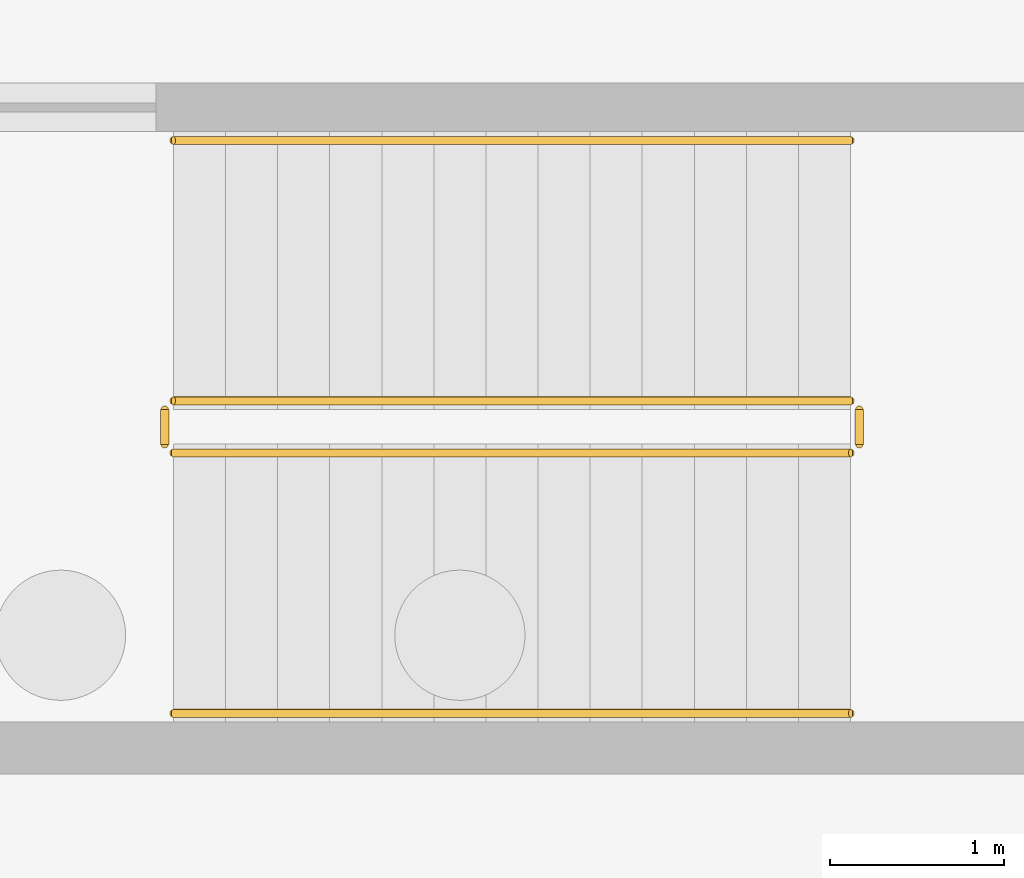
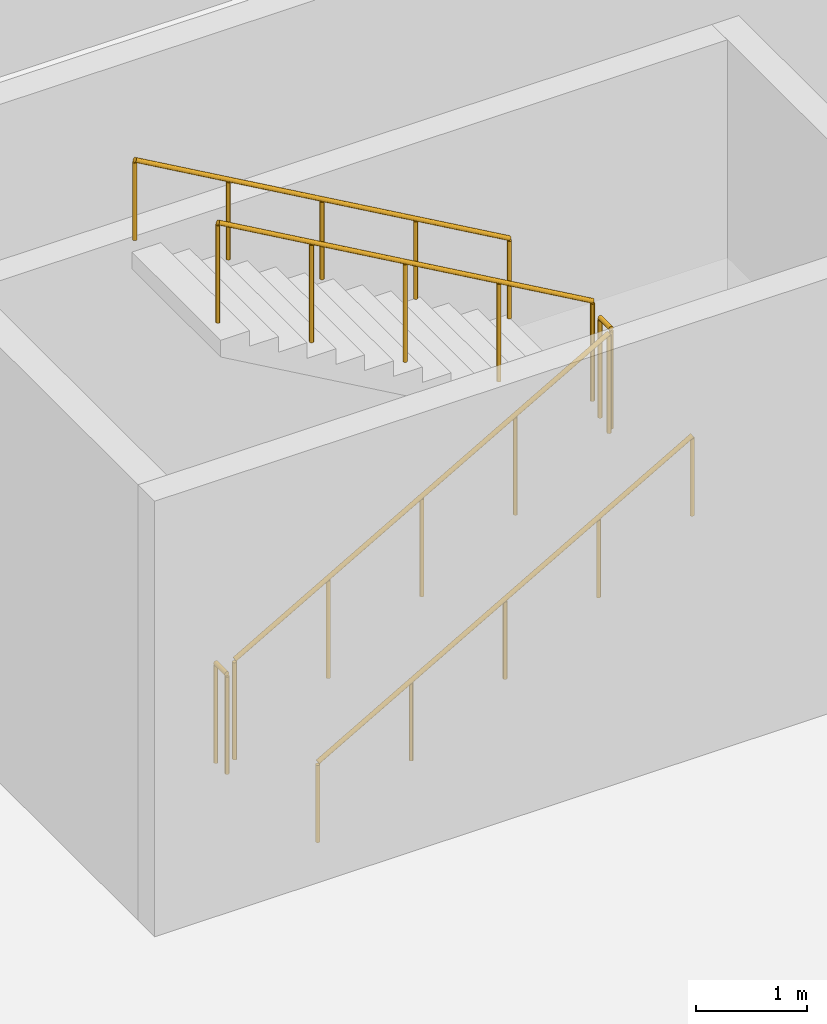
# One storey, part 33 of 40: 6 railings.
"""IFC4 building model written with IfcOpenShell, lengths in metres."""

import ifcopenshell
import ifcopenshell.guid

model = None  # the IFC model being written
_history = None  # IfcOwnerHistory: only IFC2X3 demands one
_inside = {}  # id of a spatial element -> (the spatial element, [elements in it])
_under = {}  # id of a project, library or spatial element -> (it, [spatial elements below it])
_declared = {}  # id of a project -> (the project, [libraries it declares])
_typed = {}  # id of a type object -> (the type object, [elements of that type])
_made_of = {}  # id of a material, layer set ... -> (it, [elements and type objects made of it])


def new_model(schema):
    """Start an empty IFC model of exactly this schema.

    Asked for "IFC4X3", IfcOpenShell would pick the latest addendum, in which some entities
    have other attributes; the version numbers below select the first issue.
    IFC2X3 requires an IfcOwnerHistory on every rooted entity: one is made here for all.
    """
    global model, _history
    if schema == "IFC4X3":
        model = ifcopenshell.file(schema_version=(4, 3, 0, 0))
    else:
        model = ifcopenshell.file(schema=schema)
    _inside.clear()
    _under.clear()
    _declared.clear()
    _typed.clear()
    _made_of.clear()
    _history = None
    if model.schema == "IFC2X3":
        org = make("IfcOrganization", Name="unknown")
        user = make(
            "IfcPersonAndOrganization",
            ThePerson=make("IfcPerson", FamilyName="unknown"),
            TheOrganization=org,
        )
        app = make(
            "IfcApplication",
            ApplicationDeveloper=org,
            Version="unknown",
            ApplicationFullName="unknown",
            ApplicationIdentifier="unknown",
        )
        _history = make(
            "IfcOwnerHistory",
            OwningUser=user,
            OwningApplication=app,
            ChangeAction="ADDED",
            CreationDate=0,
        )
    return model


def make(cls, **values):
    """One entity of the class cls with the attributes given. An attribute that is None is left unset."""
    return model.create_entity(
        cls, **{name: value for name, value in values.items() if value is not None}
    )


def rooted(cls, **values):
    """An entity with a GlobalId (a new one), such as an element, a storey or a relation."""
    return make(cls, GlobalId=ifcopenshell.guid.new(), OwnerHistory=_history, **values)


def si_unit(unit_type, name, prefix=None):
    """IfcSIUnit, for example si_unit("LENGTHUNIT", "METRE", prefix="MILLI")."""
    return make("IfcSIUnit", UnitType=unit_type, Prefix=prefix, Name=name)


def assignment(units):
    """IfcUnitAssignment: the units of a project."""
    return None if units is None else make("IfcUnitAssignment", Units=units)


def point(xyz):
    """IfcCartesianPoint."""
    return None if xyz is None else make("IfcCartesianPoint", Coordinates=xyz)


def direction(xyz):
    """IfcDirection."""
    return None if xyz is None else make("IfcDirection", DirectionRatios=xyz)


def frame(location, z_axis=None, x_axis=None):
    """IfcAxis2Placement3D, a coordinate frame: its origin and axes. An axis left out is left unset."""
    return make(
        "IfcAxis2Placement3D",
        Location=point(location),
        Axis=direction(z_axis),
        RefDirection=direction(x_axis),
    )


def frame_2d(location, x_axis=None):
    """IfcAxis2Placement2D, a coordinate frame in the plane: its origin and x axis."""
    return make(
        "IfcAxis2Placement2D", Location=point(location), RefDirection=direction(x_axis)
    )


def origin():
    """The frame at (0, 0, 0) with its axes left unset."""
    return frame((0.0, 0.0, 0.0))


def origin_2d():
    """The frame at (0, 0) in the plane with its x axis left unset."""
    return frame_2d((0.0, 0.0))


def place(relative_to, where):
    """IfcLocalPlacement: puts the frame where relative to a parent placement (None: the world)."""
    return make(
        "IfcLocalPlacement", PlacementRelTo=relative_to, RelativePlacement=where
    )


def context(
    kind, dimensions, precision=None, world=None, true_north=None, identifier=None
):
    """IfcGeometricRepresentationContext, for example the 3D "Model" context."""
    return make(
        "IfcGeometricRepresentationContext",
        ContextIdentifier=identifier,
        ContextType=kind,
        CoordinateSpaceDimension=dimensions,
        Precision=precision,
        WorldCoordinateSystem=world,
        TrueNorth=true_north,
    )


def subcontext(parent, identifier, kind, view, scale=None):
    """IfcGeometricRepresentationSubContext, for example "Body" below "Model"."""
    return make(
        "IfcGeometricRepresentationSubContext",
        ContextIdentifier=identifier,
        ContextType=kind,
        ParentContext=parent,
        TargetScale=scale,
        TargetView=view,
    )


def project(units=None, contexts=None):
    """IfcProject with its units and contexts."""
    return rooted(
        "IfcProject",
        Name="project",
        RepresentationContexts=contexts,
        UnitsInContext=assignment(units),
    )


def spatial(cls, under=None, at=None, **own):
    """A site, building, storey or space (cls), placed at a placement, below another one or the project."""
    s = rooted(cls, ObjectPlacement=at, **own)
    if under is not None:
        _under.setdefault(under.id(), (under, []))[1].append(s)
    return s


def profile(cls, at=None, kind="AREA", **sizes):
    """A parametric profile (cls). Its sizes go by their IFC names, for example OverallWidth=200.0."""
    return make(cls, ProfileType=kind, Position=at, **sizes)


def circle(**sizes):
    """IfcCircleProfileDef."""
    return profile("IfcCircleProfileDef", **sizes)


def extrude(swept, where, along, depth):
    """IfcExtrudedAreaSolid: the profile swept, set in the frame where, extruded along a direction by depth."""
    return make(
        "IfcExtrudedAreaSolid",
        SweptArea=swept,
        Position=where,
        ExtrudedDirection=direction(along),
        Depth=depth,
    )


def shape(context_of_items, identifier, shape_type, items):
    """IfcShapeRepresentation: the items that make up one representation, for example the "Body"."""
    return make(
        "IfcShapeRepresentation",
        ContextOfItems=context_of_items,
        RepresentationIdentifier=identifier,
        RepresentationType=shape_type,
        Items=items,
    )


def material(Name=None, Category=None):
    """IfcMaterial."""
    return make("IfcMaterial", Name=Name, Category=Category)


def made_of(thing, what):
    """Note that an element or type object is made of a material, layer set ...; save() writes the relation."""
    if what is not None:
        _made_of.setdefault(what.id(), (what, []))[1].append(thing)
    return thing


def type_object(cls, material=None, **own):
    """A type object (cls), such as IfcWallType, which elements share."""
    return made_of(rooted(cls, **own), material)


def element(
    cls,
    number,
    at=None,
    inside=None,
    cuts=None,
    type_object=None,
    material=None,
    context=None,
    identifier="Body",
    shape_type=None,
    held_by="IfcProductDefinitionShape",
    body=None,
    shapes=None,
    **own,
):
    """One element of the class cls, such as IfcWall. Its Tag is "e" and its number.

    at: its placement. inside: the storey or other place that contains it. cuts: it is an
    opening in that element (IfcRelVoidsElement). A single representation is given by context,
    identifier, shape_type and body (its items); several are given by shapes. held_by: the class
    of the entity that holds the representations. save() writes the other relations.
    """
    e = rooted(cls, Tag="e%d" % number, ObjectPlacement=at, **own)
    if body is not None:
        shapes = [shape(context, identifier, shape_type, body)]
    if shapes is not None:
        e.Representation = make(held_by, Representations=shapes)
    if inside is not None:
        _inside.setdefault(inside.id(), (inside, []))[1].append(e)
    if cuts is not None:
        rooted(
            "IfcRelVoidsElement", RelatingBuildingElement=cuts, RelatedOpeningElement=e
        )
    if type_object is not None:
        _typed.setdefault(type_object.id(), (type_object, []))[1].append(e)
    return made_of(e, material)


def aggregate(whole, parts):
    """IfcRelAggregates: a whole, such as a stair, and the parts it consists of."""
    return rooted("IfcRelAggregates", RelatingObject=whole, RelatedObjects=parts)


def save(model, path):
    """Write the relations noted so far, then the file.

    IfcRelAggregates (storeys below a building ...), IfcRelContainedInSpatialStructure (elements
    in a storey), IfcRelDefinesByType, IfcRelAssociatesMaterial and IfcRelDeclares: one each for
    every whole, place, type object, material and project.
    """
    for whole, parts in _under.values():
        aggregate(whole, parts)
    for where, things in _inside.values():
        rooted(
            "IfcRelContainedInSpatialStructure",
            RelatedElements=things,
            RelatingStructure=where,
        )
    for kind, things in _typed.values():
        rooted("IfcRelDefinesByType", RelatedObjects=things, RelatingType=kind)
    for what, things in _made_of.values():
        rooted("IfcRelAssociatesMaterial", RelatedObjects=things, RelatingMaterial=what)
    for by, libraries in _declared.values():
        rooted("IfcRelDeclares", RelatingContext=by, RelatedDefinitions=libraries)
    model.write(path)


model = new_model("IFC4")

# Units and contexts
model_context = context("Model", 3, precision=1e-05, world=origin(), true_north=direction((0.0, 1.0)))
body_context = subcontext(model_context, "Body", "Model", "MODEL_VIEW")
ifc_project = project(units=[si_unit("LENGTHUNIT", "METRE"), si_unit("AREAUNIT", "SQUARE_METRE"), si_unit("VOLUMEUNIT", "CUBIC_METRE"), si_unit("PLANEANGLEUNIT", "RADIAN"), si_unit("MASSUNIT", "GRAM", prefix="KILO")], contexts=[model_context])

# Site, building, storey
site_placement = place(None, origin())
site = spatial("IfcSite", under=ifc_project, at=site_placement, CompositionType="ELEMENT")
building_placement = place(site_placement, origin())
building = spatial("IfcBuilding", under=site, at=building_placement, Name="Valkorina Park Police Headquarters", CompositionType="ELEMENT")
storey_placement = place(building_placement, frame((0.0, 0.0, -4.800048828125)))
storey = spatial("IfcBuildingStorey", under=building, at=storey_placement, Name="B01", CompositionType="ELEMENT", Elevation=-4.800048828125)

# Railings
ifc_material = material(Name="Stainless steel EN 1.4404", Category="steel")
railing_type_1 = type_object("IfcRailingType", Name="RL-GUARD-INT-1100", PredefinedType="BALUSTRADE", material=ifc_material)
railing_1_placement = place(storey_placement, frame((40.300048828125, 89.85009765625, 0.17138671875)))
element("IfcRailing", 1, at=railing_1_placement, inside=storey, type_object=railing_type_1, Name="B01 Core C4 Stair Guard 1", PredefinedType="BALUSTRADE", context=body_context, shape_type="SweptSolid", body=[
    extrude(circle(Radius=0.02392578125, at=origin_2d()), frame((0.0, 0.0, 1.09619140625), z_axis=(0.868219727965, 0.0, 0.496179910892), x_axis=(0.0, 1.0, 0.0)), (0.0, 0.0, 1.0), 4.491943359375),
    extrude(circle(Radius=0.02099609375, at=origin_2d()), origin(), (0.0, 0.0, 1.0), 1.072021484375),
    extrude(circle(Radius=0.02099609375, at=origin_2d()), frame((0.97509765625, 0.0, 0.55712890625)), (0.0, 0.0, 1.0), 1.072021484375),
    extrude(circle(Radius=0.02099609375, at=origin_2d()), frame((1.949951171875, 0.0, 1.1142578125)), (0.0, 0.0, 1.0), 1.072021484375),
    extrude(circle(Radius=0.02099609375, at=origin_2d()), frame((2.9248046875, 0.0, 1.671630859375)), (0.0, 0.0, 1.0), 1.072021484375),
    extrude(circle(Radius=0.02099609375, at=origin_2d()), frame((3.89990234375, 0.0, 2.228759765625)), (0.0, 0.0, 1.0), 1.072021484375),
])
railing_2_placement = place(storey_placement, frame((44.25, 89.89990234375, 2.400146484375)))
element("IfcRailing", 2, at=railing_2_placement, inside=storey, type_object=railing_type_1, Name="B01 Core C4 Stair Guard 2", PredefinedType="BALUSTRADE", context=body_context, shape_type="SweptSolid", body=[
    extrude(circle(Radius=0.02392578125, at=origin_2d()), frame((0.0, 0.0, 1.09619140625), z_axis=(0.0, 1.0, 0.0), x_axis=(-1.0, 0.0, 0.0)), (0.0, 0.0, 1.0), 0.2001953125),
    extrude(circle(Radius=0.02099609375, at=origin_2d()), origin(), (0.0, 0.0, 1.0), 1.072021484375),
    extrude(circle(Radius=0.02099609375, at=origin_2d()), frame((0.0, 0.2001953125, 0.0)), (0.0, 0.0, 1.0), 1.072021484375),
])
railing_3_placement = place(storey_placement, frame((44.199951171875, 90.14990234375, 2.571533203125)))
element("IfcRailing", 3, at=railing_3_placement, inside=storey, type_object=railing_type_1, Name="B01 Core C4 Stair Guard 3", PredefinedType="BALUSTRADE", context=body_context, shape_type="SweptSolid", body=[
    extrude(circle(Radius=0.02392578125, at=origin_2d()), frame((0.0, 0.0, 1.09619140625), z_axis=(-0.868243142124, 0.0, 0.496138938357), x_axis=(0.0, -1.0, 0.0)), (0.0, 0.0, 1.0), 4.49169921875),
    extrude(circle(Radius=0.02099609375, at=origin_2d()), origin(), (0.0, 0.0, 1.0), 1.072021484375),
    extrude(circle(Radius=0.02099609375, at=origin_2d()), frame((-0.97509765625, 0.0, 0.55712890625)), (0.0, 0.0, 1.0), 1.072021484375),
    extrude(circle(Radius=0.02099609375, at=origin_2d()), frame((-1.949951171875, 0.0, 1.1142578125)), (0.0, 0.0, 1.0), 1.072021484375),
    extrude(circle(Radius=0.02099609375, at=origin_2d()), frame((-2.9248046875, 0.0, 1.67138671875)), (0.0, 0.0, 1.0), 1.072021484375),
    extrude(circle(Radius=0.02099609375, at=origin_2d()), frame((-3.89990234375, 0.0, 2.228515625)), (0.0, 0.0, 1.0), 1.072021484375),
])
railing_4_placement = place(storey_placement, frame((40.25, 89.89990234375, 0.0)))
element("IfcRailing", 4, at=railing_4_placement, inside=storey, type_object=railing_type_1, Name="B01 Core C4 Stair Guard 4", PredefinedType="BALUSTRADE", context=body_context, shape_type="SweptSolid", body=[
    extrude(circle(Radius=0.02392578125, at=origin_2d()), frame((0.0, 0.0, 1.09619140625), z_axis=(0.0, 1.0, 0.0), x_axis=(-1.0, 0.0, 0.0)), (0.0, 0.0, 1.0), 0.2001953125),
    extrude(circle(Radius=0.02099609375, at=origin_2d()), origin(), (0.0, 0.0, 1.0), 1.072021484375),
    extrude(circle(Radius=0.02099609375, at=origin_2d()), frame((0.0, 0.2001953125, 0.0)), (0.0, 0.0, 1.0), 1.072021484375),
])
railing_type_2 = type_object("IfcRailingType", Name="RL-HANDRAIL-900", PredefinedType="HANDRAIL", material=ifc_material)
railing_5_placement = place(storey_placement, frame((40.300048828125, 88.35009765625, 0.17138671875)))
element("IfcRailing", 5, at=railing_5_placement, inside=storey, type_object=railing_type_2, Name="B01 Core C4 Stair Handrail 1", PredefinedType="HANDRAIL", context=body_context, shape_type="SweptSolid", body=[
    extrude(circle(Radius=0.02392578125, at=origin_2d()), frame((0.0, 0.0, 0.8759765625), z_axis=(0.868219727965, 0.0, 0.496179910892), x_axis=(0.0, 1.0, 0.0)), (0.0, 0.0, 1.0), 4.491943359375),
    extrude(circle(Radius=0.02099609375, at=origin_2d()), origin(), (0.0, 0.0, 1.0), 0.851806640625),
    extrude(circle(Radius=0.02099609375, at=origin_2d()), frame((0.97509765625, 0.0, 0.55712890625)), (0.0, 0.0, 1.0), 0.851806640625),
    extrude(circle(Radius=0.02099609375, at=origin_2d()), frame((1.949951171875, 0.0, 1.1142578125)), (0.0, 0.0, 1.0), 0.851806640625),
    extrude(circle(Radius=0.02099609375, at=origin_2d()), frame((2.9248046875, 0.0, 1.671630859375)), (0.0, 0.0, 1.0), 0.851806640625),
    extrude(circle(Radius=0.02099609375, at=origin_2d()), frame((3.89990234375, 0.0, 2.228759765625)), (0.0, 0.0, 1.0), 0.851806640625),
])
railing_6_placement = place(storey_placement, frame((44.199951171875, 91.64990234375, 2.571533203125)))
element("IfcRailing", 6, at=railing_6_placement, inside=storey, type_object=railing_type_2, Name="B01 Core C4 Stair Handrail 2", PredefinedType="HANDRAIL", context=body_context, shape_type="SweptSolid", body=[
    extrude(circle(Radius=0.02392578125, at=origin_2d()), frame((0.0, 0.0, 0.8759765625), z_axis=(-0.868243142124, 0.0, 0.496138938357), x_axis=(0.0, -1.0, 0.0)), (0.0, 0.0, 1.0), 4.49169921875),
    extrude(circle(Radius=0.02099609375, at=origin_2d()), origin(), (0.0, 0.0, 1.0), 0.851806640625),
    extrude(circle(Radius=0.02099609375, at=origin_2d()), frame((-0.97509765625, 0.0, 0.55712890625)), (0.0, 0.0, 1.0), 0.851806640625),
    extrude(circle(Radius=0.02099609375, at=origin_2d()), frame((-1.949951171875, 0.0, 1.1142578125)), (0.0, 0.0, 1.0), 0.851806640625),
    extrude(circle(Radius=0.02099609375, at=origin_2d()), frame((-2.9248046875, 0.0, 1.67138671875)), (0.0, 0.0, 1.0), 0.851806640625),
    extrude(circle(Radius=0.02099609375, at=origin_2d()), frame((-3.89990234375, 0.0, 2.228515625)), (0.0, 0.0, 1.0), 0.851806640625),
])

save(model, "model.ifc")
